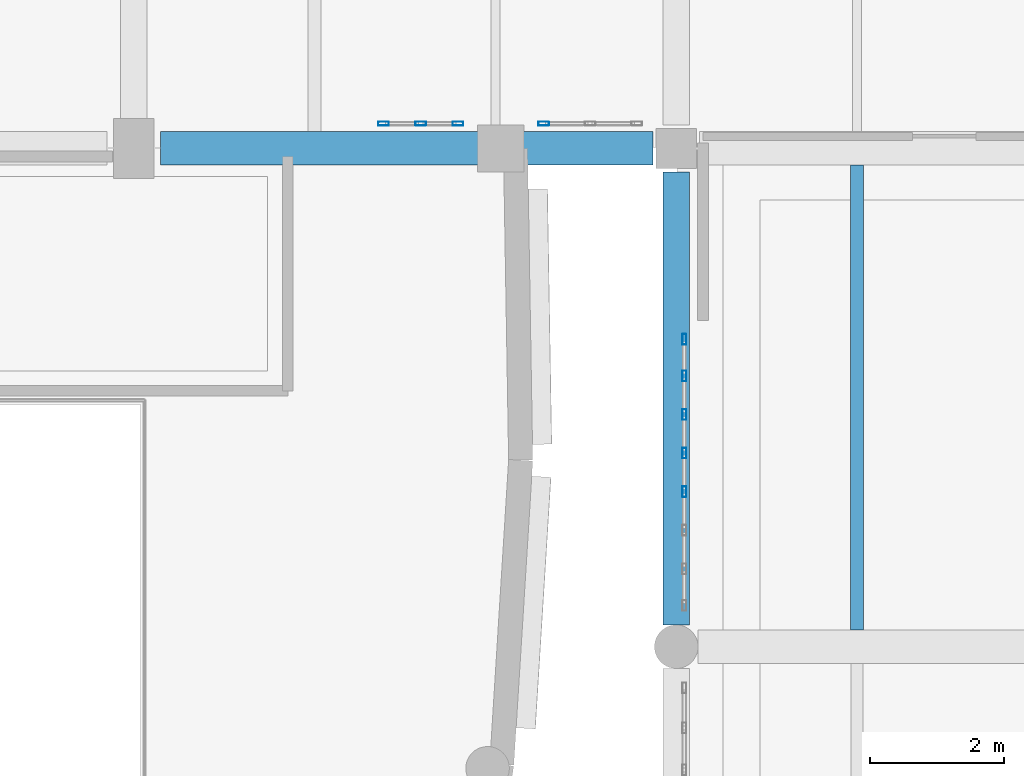
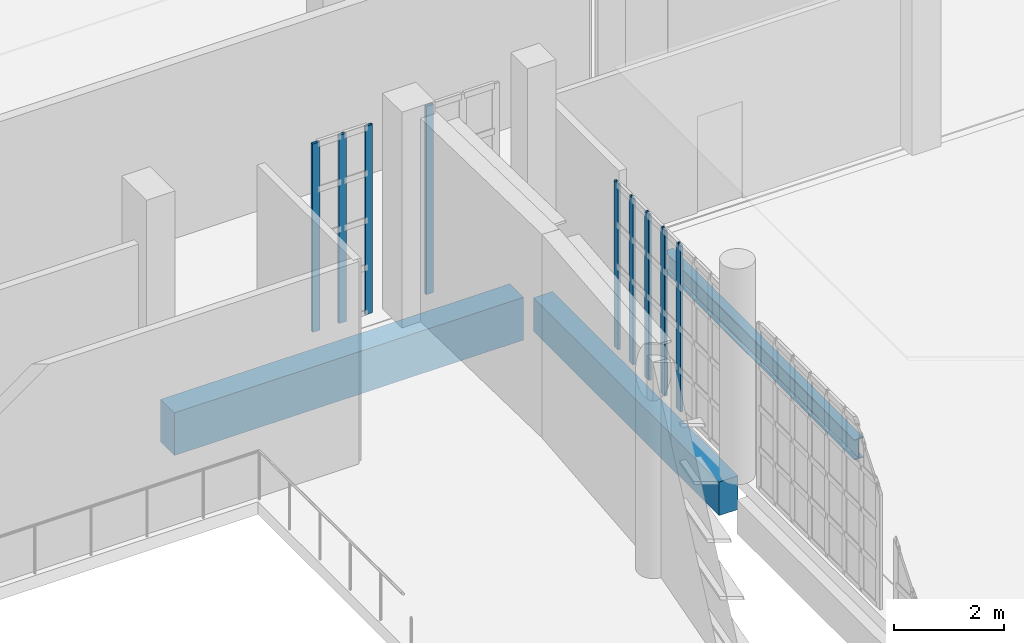
# One storey, part 41 of 104: 9 members, 3 beams, 3 elements without a shape of their own.
"""IFC4 building model written with IfcOpenShell, lengths in metres."""

from ifc_helpers import new_model, si_unit, direction, frame, origin, origin_2d, place, context, subcontext, project, spatial, rectangle, hollow_rectangle, i_section, extrude, material, material_profile, profile_set, type_object, element, aggregate, save


model = new_model("IFC4")

# Units and contexts
model_context = context("Model", 3, precision=1e-05, world=origin(), true_north=direction((0.0, 1.0)))
body_context = subcontext(model_context, "Body", "Model", "MODEL_VIEW")
ifc_project = project(units=[si_unit("LENGTHUNIT", "METRE"), si_unit("AREAUNIT", "SQUARE_METRE"), si_unit("VOLUMEUNIT", "CUBIC_METRE"), si_unit("PLANEANGLEUNIT", "RADIAN"), si_unit("MASSUNIT", "GRAM", prefix="KILO")], contexts=[model_context])

# Site, building, storey
site_placement = place(None, origin())
site = spatial("IfcSite", under=ifc_project, at=site_placement, CompositionType="ELEMENT")
building_placement = place(site_placement, origin())
building = spatial("IfcBuilding", under=site, at=building_placement, Name="Kaelora Sail Theatre", CompositionType="ELEMENT")
storey_placement = place(building_placement, frame((0.0, 0.0, 5.39990234375)))
storey = spatial("IfcBuildingStorey", under=building, at=storey_placement, Name="L01", CompositionType="ELEMENT", Elevation=5.39990234375)

# Curtain wall, members
ifc_material_1 = material(Name="Anodised aluminium and solar-control low-E IGU", Category="aluminium")
curtain_wall_type_1 = type_object("IfcCurtainWallType", Name="ARC-CW-CW-PROW", PredefinedType="NOTDEFINED", material=ifc_material_1)
curtain_wall_1_placement = place(storey_placement, origin())
curtain_wall_1 = element("IfcCurtainWall", 1, at=curtain_wall_1_placement, inside=storey, type_object=curtain_wall_type_1, Name="East Interstitial Foyer West Glazed Return L01-03", PredefinedType="NOTDEFINED")
ifc_material_2 = material(Name="Anodised aluminium 6063-T6", Category="aluminium")
ifc_material_profile_1 = material_profile(ifc_material_2, hollow_rectangle(XDim=0.06005859375, YDim=0.159912109375, WallThickness=0.00390625, InnerFilletRadius=0.00390625, OuterFilletRadius=0.008056640625, at=origin_2d()), Name="ALU-MULL 60x160x4")
ifc_profile_set_1 = profile_set([ifc_material_profile_1], Name="Anodised aluminium 6063-T6")
member_type = type_object("IfcMemberType", Name="ARC-MEM-ML-160", PredefinedType="MULLION", material=ifc_profile_set_1)
member_1_placement = place(storey_placement, frame((106.919921875, 55.894287109375, 0.0), z_axis=(0.0, 0.0, 1.0), x_axis=(-1.0, 0.0, 0.0)))
member_1 = element("IfcMember", 2, at=member_1_placement, type_object=member_type, Name="CW-PROW mullion 4", PredefinedType="MULLION", context=body_context, shape_type="SweptSolid", body=[
    extrude(hollow_rectangle(XDim=0.06005859375, YDim=0.159912109375, WallThickness=0.00390625, InnerFilletRadius=0.00390625, OuterFilletRadius=0.008056640625, at=origin_2d()), origin(), (0.0, 0.0, 1.0), 3.68701171875),
])
member_2_placement = place(storey_placement, frame((106.919921875, 56.470703125, 0.0), z_axis=(0.0, 0.0, 1.0), x_axis=(-1.0, 0.0, 0.0)))
member_2 = element("IfcMember", 3, at=member_2_placement, type_object=member_type, Name="CW-PROW mullion 5", PredefinedType="MULLION", context=body_context, shape_type="SweptSolid", body=[
    extrude(hollow_rectangle(XDim=0.06005859375, YDim=0.159912109375, WallThickness=0.00390625, InnerFilletRadius=0.00390625, OuterFilletRadius=0.008056640625, at=origin_2d()), origin(), (0.0, 0.0, 1.0), 3.68701171875),
])
member_3_placement = place(storey_placement, frame((106.919921875, 57.047119140625, 0.0), z_axis=(0.0, 0.0, 1.0), x_axis=(-1.0, 0.0, 0.0)))
member_3 = element("IfcMember", 4, at=member_3_placement, type_object=member_type, Name="CW-PROW mullion 6", PredefinedType="MULLION", context=body_context, shape_type="SweptSolid", body=[
    extrude(hollow_rectangle(XDim=0.06005859375, YDim=0.159912109375, WallThickness=0.00390625, InnerFilletRadius=0.00390625, OuterFilletRadius=0.008056640625, at=origin_2d()), origin(), (0.0, 0.0, 1.0), 3.68701171875),
])
member_4_placement = place(storey_placement, frame((106.919921875, 57.62353515625, 0.0), z_axis=(0.0, 0.0, 1.0), x_axis=(-1.0, 0.0, 0.0)))
member_4 = element("IfcMember", 5, at=member_4_placement, type_object=member_type, Name="CW-PROW mullion 7", PredefinedType="MULLION", context=body_context, shape_type="SweptSolid", body=[
    extrude(hollow_rectangle(XDim=0.06005859375, YDim=0.159912109375, WallThickness=0.00390625, InnerFilletRadius=0.00390625, OuterFilletRadius=0.008056640625, at=origin_2d()), origin(), (0.0, 0.0, 1.0), 3.68701171875),
])
member_5_placement = place(storey_placement, frame((106.919921875, 58.169921875, 0.0), z_axis=(0.0, 0.0, 1.0), x_axis=(-1.0, 0.0, 0.0)))
member_5 = element("IfcMember", 6, at=member_5_placement, type_object=member_type, Name="CW-PROW mullion 8", PredefinedType="MULLION", context=body_context, shape_type="SweptSolid", body=[
    extrude(hollow_rectangle(XDim=0.06005859375, YDim=0.159912109375, WallThickness=0.00390625, InnerFilletRadius=0.00390625, OuterFilletRadius=0.008056640625, at=origin_2d()), origin(), (0.0, 0.0, 1.0), 3.68701171875),
])
aggregate(curtain_wall_1, [member_1, member_2, member_3, member_4, member_5])

ifc_material_3 = material(Name="Anodised aluminium and solar-control low-E IGU", Category="aluminium")
curtain_wall_type_2 = type_object("IfcCurtainWallType", Name="ARC-CW-CW-FOY2", PredefinedType="NOTDEFINED", material=ifc_material_3)
curtain_wall_2_placement = place(storey_placement, origin())
curtain_wall_2 = element("IfcCurtainWall", 7, at=curtain_wall_2_placement, inside=storey, type_object=curtain_wall_type_2, Name="Glazed Foyer/Conservatory Curtain Wall FC2-S-L01-01", PredefinedType="NOTDEFINED")
member_6_placement = place(storey_placement, frame((102.429931640625, 61.389892578125, 0.0), z_axis=(0.0, 0.0, 1.0), x_axis=(0.0, 1.0, 0.0)))
member_6 = element("IfcMember", 8, at=member_6_placement, type_object=member_type, Name="CW-FOY2 mullion 1", PredefinedType="MULLION", context=body_context, shape_type="SweptSolid", body=[
    extrude(hollow_rectangle(XDim=0.06005859375, YDim=0.159912109375, WallThickness=0.00390625, InnerFilletRadius=0.00390625, OuterFilletRadius=0.008056640625, at=origin_2d()), origin(), (0.0, 0.0, 1.0), 4.18701171875),
])
member_7_placement = place(storey_placement, frame((102.985107421875, 61.389892578125, 0.0), z_axis=(0.0, 0.0, 1.0), x_axis=(0.0, 1.0, 0.0)))
member_7 = element("IfcMember", 9, at=member_7_placement, type_object=member_type, Name="CW-FOY2 mullion 2", PredefinedType="MULLION", context=body_context, shape_type="SweptSolid", body=[
    extrude(hollow_rectangle(XDim=0.06005859375, YDim=0.159912109375, WallThickness=0.00390625, InnerFilletRadius=0.00390625, OuterFilletRadius=0.008056640625, at=origin_2d()), origin(), (0.0, 0.0, 1.0), 4.18701171875),
])
member_8_placement = place(storey_placement, frame((103.5400390625, 61.389892578125, 0.0), z_axis=(0.0, 0.0, 1.0), x_axis=(0.0, 1.0, 0.0)))
member_8 = element("IfcMember", 10, at=member_8_placement, type_object=member_type, Name="CW-FOY2 mullion 3", PredefinedType="MULLION", context=body_context, shape_type="SweptSolid", body=[
    extrude(hollow_rectangle(XDim=0.06005859375, YDim=0.159912109375, WallThickness=0.00390625, InnerFilletRadius=0.00390625, OuterFilletRadius=0.008056640625, at=origin_2d()), origin(), (0.0, 0.0, 1.0), 4.18701171875),
])
aggregate(curtain_wall_2, [member_6, member_7, member_8])

# Curtain wall, member
curtain_wall_3_placement = place(storey_placement, origin())
curtain_wall_3 = element("IfcCurtainWall", 11, at=curtain_wall_3_placement, inside=storey, type_object=curtain_wall_type_2, Name="Glazed Foyer/Conservatory Curtain Wall FC2-S-L01-01", PredefinedType="NOTDEFINED")
member_9_placement = place(storey_placement, frame((104.820068359375, 61.389892578125, 0.0), z_axis=(0.0, 0.0, 1.0), x_axis=(0.0, 1.0, 0.0)))
member_9 = element("IfcMember", 12, at=member_9_placement, type_object=member_type, Name="CW-FOY2 mullion 1", PredefinedType="MULLION", context=body_context, shape_type="SweptSolid", body=[
    extrude(hollow_rectangle(XDim=0.06005859375, YDim=0.159912109375, WallThickness=0.00390625, InnerFilletRadius=0.00390625, OuterFilletRadius=0.008056640625, at=origin_2d()), origin(), (0.0, 0.0, 1.0), 4.18701171875),
])
aggregate(curtain_wall_3, [member_9])

# Beams
ifc_material_4 = material(Name="Steel S355", Category="steel")
ifc_material_profile_2 = material_profile(ifc_material_4, i_section(OverallWidth=0.18994140625, OverallDepth=0.449951171875, WebThickness=0.009521484375, FlangeThickness=0.0146484375, FilletRadius=0.02099609375, at=origin_2d()), Name="IPE 450")
ifc_profile_set_2 = profile_set([ifc_material_profile_2], Name="Steel S355")
beam_type_1 = type_object("IfcBeamType", Name="STR-BM-BM-IPE450", PredefinedType="BEAM", material=ifc_profile_set_2)
beam_1_placement = place(storey_placement, frame((109.5, 53.830078125, -0.52001953125), z_axis=(0.0, 1.0, 0.0), x_axis=(-1.0, 0.0, 0.0)))
element("IfcBeam", 13, at=beam_1_placement, inside=storey, type_object=beam_type_1, Name="Secondary floor joist 14/H-1 (L01)", PredefinedType="BEAM", context=body_context, shape_type="SweptSolid", body=[
    extrude(i_section(OverallWidth=0.18994140625, OverallDepth=0.449951171875, WebThickness=0.009521484375, FlangeThickness=0.0146484375, FilletRadius=0.02099609375, at=origin_2d()), origin(), (0.0, 0.0, 1.0), 6.93994140625),
])
ifc_material_5 = material(Name="Concrete C40/50", Category="concrete")
ifc_material_profile_3 = material_profile(ifc_material_5, rectangle(XDim=0.39990234375, YDim=0.75, at=origin_2d()), Name="RC-BM 400x750")
ifc_profile_set_3 = profile_set([ifc_material_profile_3], Name="Concrete C40/50")
beam_type_2 = type_object("IfcBeamType", Name="STR-BM-BM-RC4075", PredefinedType="BEAM", material=ifc_profile_set_3)
beam_2_placement = place(storey_placement, frame((106.800048828125, 53.905029296875, -0.669921875), z_axis=(0.0, 1.0, 0.0), x_axis=(-1.0, 0.0, 0.0)))
element("IfcBeam", 14, at=beam_2_placement, inside=storey, type_object=beam_type_2, Name="Primary beam 14 H-I (L01)", PredefinedType="BEAM", context=body_context, shape_type="SweptSolid", body=[
    extrude(rectangle(XDim=0.39990234375, YDim=0.75, at=origin_2d()), origin(), (0.0, 0.0, 1.0), 6.764892578125),
])
ifc_material_6 = material(Name="Concrete C45/55", Category="concrete")
ifc_material_profile_4 = material_profile(ifc_material_6, rectangle(XDim=0.5, YDim=0.949951171875, at=origin_2d()), Name="RC-GRD 500x950")
ifc_profile_set_4 = profile_set([ifc_material_profile_4], Name="Concrete C45/55")
beam_type_3 = type_object("IfcBeamType", Name="STR-BM-GR-RC5095", PredefinedType="T_BEAM", material=ifc_profile_set_4)
beam_3_placement = place(storey_placement, frame((99.10009765625, 61.02001953125, -0.77001953125), z_axis=(1.0, 0.0, 0.0), x_axis=(0.0, 1.0, 0.0)))
element("IfcBeam", 15, at=beam_3_placement, inside=storey, type_object=beam_type_3, Name="Primary beam I 13-14 (L01)", PredefinedType="T_BEAM", context=body_context, shape_type="SweptSolid", body=[
    extrude(rectangle(XDim=0.5, YDim=0.949951171875, at=origin_2d()), origin(), (0.0, 0.0, 1.0), 7.349853515625),
])

save(model, "model.ifc")
